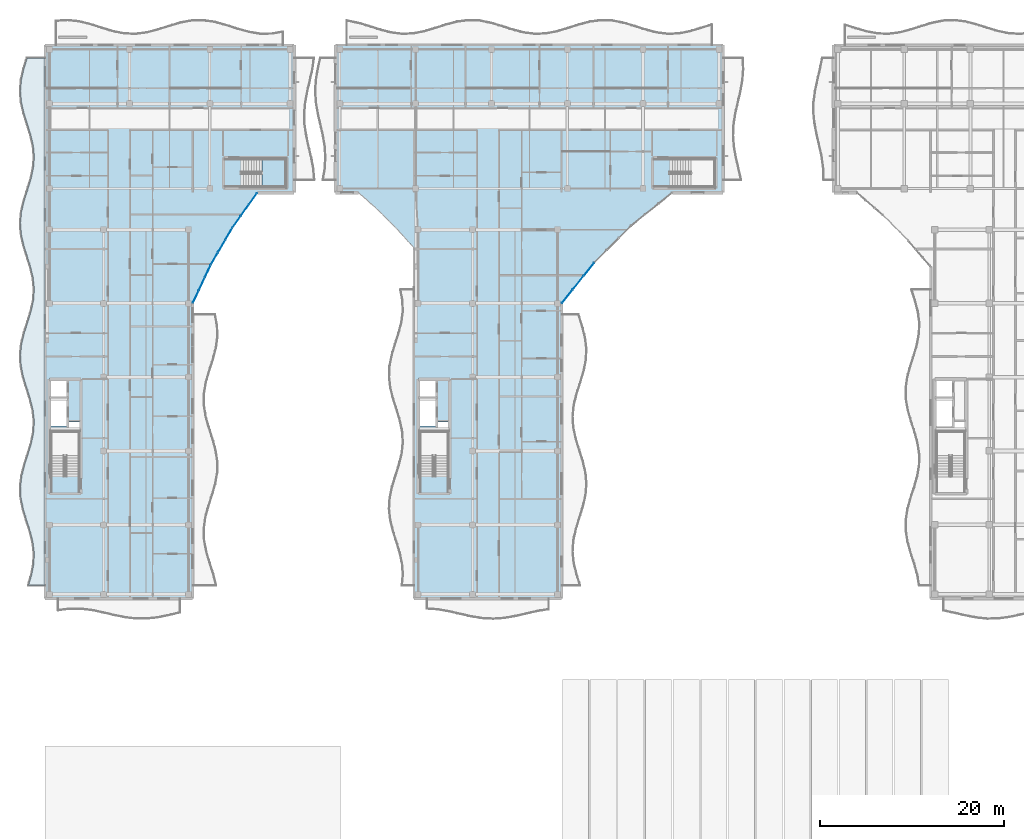
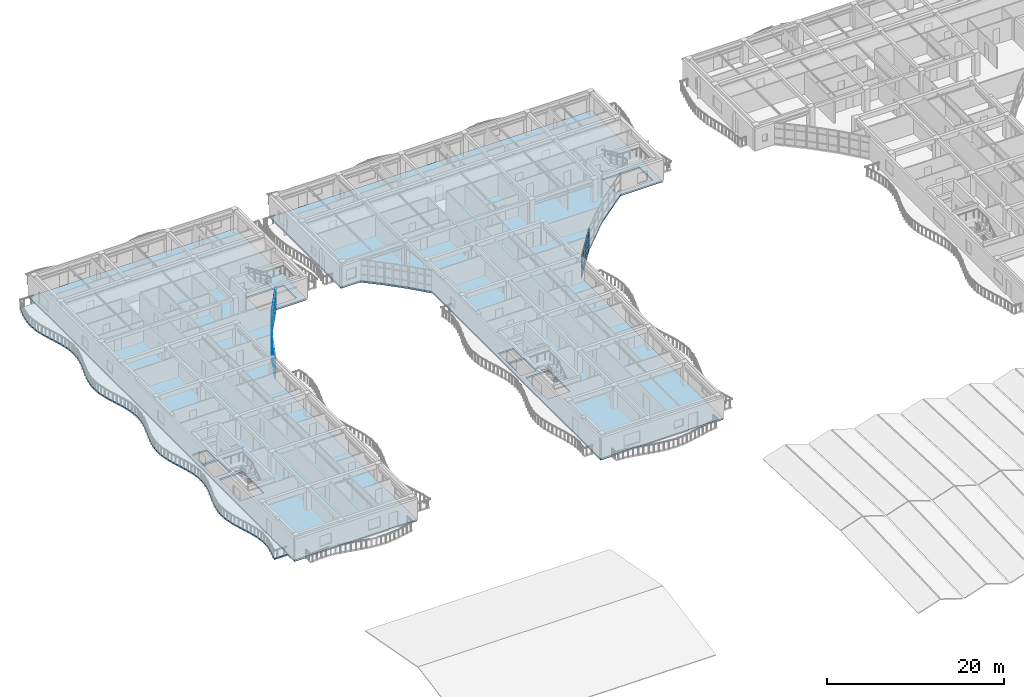
# One storey, part 38 of 89: 36 plates, 4 slabs, 5 elements without a shape of their own.
"""IFC4 building model written with IfcOpenShell, lengths in metres."""

from ifc_helpers import new_model, si_unit, direction, frame, origin, origin_2d, place, context, subcontext, project, spatial, polyline, rectangle, outline, extrude, material, layer, layer_set, type_object, element, aggregate, save


model = new_model("IFC4")

# Units and contexts
model_context = context("Model", 3, precision=1e-05, world=origin(), true_north=direction((0.0, 1.0)))
body_context = subcontext(model_context, "Body", "Model", "MODEL_VIEW")
ifc_project = project(units=[si_unit("LENGTHUNIT", "METRE"), si_unit("AREAUNIT", "SQUARE_METRE"), si_unit("VOLUMEUNIT", "CUBIC_METRE"), si_unit("PLANEANGLEUNIT", "RADIAN"), si_unit("MASSUNIT", "GRAM", prefix="KILO")], contexts=[model_context])

# Site, building, storey
site_placement = place(None, origin())
site = spatial("IfcSite", under=ifc_project, at=site_placement, CompositionType="ELEMENT")
building_placement = place(site_placement, origin())
building = spatial("IfcBuilding", under=site, at=building_placement, Name="Keldmere Railside Commons", CompositionType="ELEMENT")
storey_placement = place(building_placement, frame((0.0, 0.0, 7.360107421875)))
storey = spatial("IfcBuildingStorey", under=building, at=storey_placement, Name="L02", CompositionType="ELEMENT", Elevation=7.360107421875)

# Curtain wall, plates
ifc_material_1 = material(Name="Thermally Broken Aluminium", Category="aluminium")
ifc_layer_1 = layer(ifc_material_1, 0.159912109375, Name="Court Chord Wintergarden CW 4800x2850")
ifc_layer_set_1 = layer_set([ifc_layer_1], Name="Thermally Broken Aluminium")
curtain_wall_type_1 = type_object("IfcCurtainWallType", Name="Court Chord Wintergarden CW 4800x2850", PredefinedType="NOTDEFINED", material=ifc_layer_set_1)
curtain_wall_1_placement = place(storey_placement, origin())
curtain_wall_1 = element("IfcCurtainWall", 1, at=curtain_wall_1_placement, inside=storey, type_object=curtain_wall_type_1, Name="CW-12 CW-L02-007", PredefinedType="NOTDEFINED")
ifc_material_2 = material(Name="Low-E Insulated Double Glazing", Category="glass")
ifc_layer_2 = layer(ifc_material_2, 0.033935546875, Name="Acoustic Laminated Vision Panel 34")
ifc_layer_set_2 = layer_set([ifc_layer_2], Name="Low-E Insulated Double Glazing")
plate_type_1 = type_object("IfcPlateType", Name="Acoustic Laminated Vision Panel 34", PredefinedType="CURTAIN_PANEL", material=ifc_layer_set_2)
plate_1_placement = place(storey_placement, frame((25.636474609375, 91.48779296875, 0.06494140625), z_axis=(0.0, 0.0, 1.0), x_axis=(-0.424759442264, -0.905306255478, 0.0)))
plate_1 = element("IfcPlate", 2, at=plate_1_placement, type_object=plate_type_1, Name="CW-12 panel 1.1", PredefinedType="CURTAIN_PANEL", context=body_context, shape_type="SweptSolid", body=[
    extrude(rectangle(XDim=1.449951171875, YDim=0.033935546875, at=origin_2d()), origin(), (0.0, 0.0, 1.0), 0.802490234375),
])
plate_2_placement = place(storey_placement, frame((25.636474609375, 91.48779296875, 0.932373046875), z_axis=(0.0, 0.0, 1.0), x_axis=(-0.424759442264, -0.905306255478, 0.0)))
plate_2 = element("IfcPlate", 3, at=plate_2_placement, type_object=plate_type_1, Name="CW-12 panel 1.2", PredefinedType="CURTAIN_PANEL", context=body_context, shape_type="SweptSolid", body=[
    extrude(rectangle(XDim=1.449951171875, YDim=0.033935546875, at=origin_2d()), origin(), (0.0, 0.0, 1.0), 1.18505859375),
])
plate_3_placement = place(storey_placement, frame((25.636474609375, 91.48779296875, 2.182373046875), z_axis=(0.0, 0.0, 1.0), x_axis=(-0.424759442264, -0.905306255478, 0.0)))
plate_3 = element("IfcPlate", 4, at=plate_3_placement, type_object=plate_type_1, Name="CW-12 panel 1.3", PredefinedType="CURTAIN_PANEL", context=body_context, shape_type="SweptSolid", body=[
    extrude(rectangle(XDim=1.449951171875, YDim=0.033935546875, at=origin_2d()), origin(), (0.0, 0.0, 1.0), 0.732421875),
])
plate_4_placement = place(storey_placement, frame((24.986083984375, 90.1015625, 0.06494140625), z_axis=(0.0, 0.0, 1.0), x_axis=(-0.424759442264, -0.905306255478, 0.0)))
plate_4 = element("IfcPlate", 5, at=plate_4_placement, type_object=plate_type_1, Name="CW-12 panel 2.1", PredefinedType="CURTAIN_PANEL", context=body_context, shape_type="SweptSolid", body=[
    extrude(rectangle(XDim=1.482421875, YDim=0.033935546875, at=origin_2d()), origin(), (0.0, 0.0, 1.0), 0.802490234375),
])
plate_5_placement = place(storey_placement, frame((24.986083984375, 90.1015625, 0.932373046875), z_axis=(0.0, 0.0, 1.0), x_axis=(-0.424759442264, -0.905306255478, 0.0)))
plate_5 = element("IfcPlate", 6, at=plate_5_placement, type_object=plate_type_1, Name="CW-12 panel 2.2", PredefinedType="CURTAIN_PANEL", context=body_context, shape_type="SweptSolid", body=[
    extrude(rectangle(XDim=1.482421875, YDim=0.033935546875, at=origin_2d()), origin(), (0.0, 0.0, 1.0), 1.18505859375),
])
plate_6_placement = place(storey_placement, frame((24.986083984375, 90.1015625, 2.182373046875), z_axis=(0.0, 0.0, 1.0), x_axis=(-0.424759442264, -0.905306255478, 0.0)))
plate_6 = element("IfcPlate", 7, at=plate_6_placement, type_object=plate_type_1, Name="CW-12 panel 2.3", PredefinedType="CURTAIN_PANEL", context=body_context, shape_type="SweptSolid", body=[
    extrude(rectangle(XDim=1.482421875, YDim=0.033935546875, at=origin_2d()), origin(), (0.0, 0.0, 1.0), 0.732421875),
])
plate_7_placement = place(storey_placement, frame((24.33544921875, 88.71533203125, 0.06494140625), z_axis=(0.0, 0.0, 1.0), x_axis=(-0.424759442264, -0.905306255478, 0.0)))
plate_7 = element("IfcPlate", 8, at=plate_7_placement, type_object=plate_type_1, Name="CW-12 panel 3.1", PredefinedType="CURTAIN_PANEL", context=body_context, shape_type="SweptSolid", body=[
    extrude(rectangle(XDim=1.449951171875, YDim=0.033935546875, at=origin_2d()), origin(), (0.0, 0.0, 1.0), 0.802490234375),
])
plate_8_placement = place(storey_placement, frame((24.33544921875, 88.71533203125, 0.932373046875), z_axis=(0.0, 0.0, 1.0), x_axis=(-0.424759442264, -0.905306255478, 0.0)))
plate_8 = element("IfcPlate", 9, at=plate_8_placement, type_object=plate_type_1, Name="CW-12 panel 3.2", PredefinedType="CURTAIN_PANEL", context=body_context, shape_type="SweptSolid", body=[
    extrude(rectangle(XDim=1.449951171875, YDim=0.033935546875, at=origin_2d()), origin(), (0.0, 0.0, 1.0), 1.18505859375),
])
plate_9_placement = place(storey_placement, frame((24.33544921875, 88.71533203125, 2.182373046875), z_axis=(0.0, 0.0, 1.0), x_axis=(-0.424759442264, -0.905306255478, 0.0)))
plate_9 = element("IfcPlate", 10, at=plate_9_placement, type_object=plate_type_1, Name="CW-12 panel 3.3", PredefinedType="CURTAIN_PANEL", context=body_context, shape_type="SweptSolid", body=[
    extrude(rectangle(XDim=1.449951171875, YDim=0.033935546875, at=origin_2d()), origin(), (0.0, 0.0, 1.0), 0.732421875),
])
aggregate(curtain_wall_1, [plate_1, plate_2, plate_3, plate_4, plate_5, plate_6, plate_7, plate_8, plate_9])

curtain_wall_2_placement = place(storey_placement, origin())
curtain_wall_2 = element("IfcCurtainWall", 11, at=curtain_wall_2_placement, inside=storey, type_object=curtain_wall_type_1, Name="CW-12 CW-L02-037", PredefinedType="NOTDEFINED")
plate_10_placement = place(storey_placement, frame((66.951416015625, 91.678955078125, 0.06494140625), z_axis=(0.0, 0.0, 1.0), x_axis=(-0.625768080915, -0.780009172323, 0.0)))
plate_10 = element("IfcPlate", 12, at=plate_10_placement, type_object=plate_type_1, Name="CW-12 panel 1.1", PredefinedType="CURTAIN_PANEL", context=body_context, shape_type="SweptSolid", body=[
    extrude(rectangle(XDim=1.795654296875, YDim=0.033935546875, at=origin_2d()), origin(), (0.0, 0.0, 1.0), 0.802490234375),
])
plate_11_placement = place(storey_placement, frame((66.951416015625, 91.678955078125, 0.932373046875), z_axis=(0.0, 0.0, 1.0), x_axis=(-0.625768080915, -0.780009172323, 0.0)))
plate_11 = element("IfcPlate", 13, at=plate_11_placement, type_object=plate_type_1, Name="CW-12 panel 1.2", PredefinedType="CURTAIN_PANEL", context=body_context, shape_type="SweptSolid", body=[
    extrude(rectangle(XDim=1.795654296875, YDim=0.033935546875, at=origin_2d()), origin(), (0.0, 0.0, 1.0), 1.18505859375),
])
plate_12_placement = place(storey_placement, frame((66.951416015625, 91.678955078125, 2.182373046875), z_axis=(0.0, 0.0, 1.0), x_axis=(-0.625768080915, -0.780009172323, 0.0)))
plate_12 = element("IfcPlate", 14, at=plate_12_placement, type_object=plate_type_1, Name="CW-12 panel 1.3", PredefinedType="CURTAIN_PANEL", context=body_context, shape_type="SweptSolid", body=[
    extrude(rectangle(XDim=1.795654296875, YDim=0.033935546875, at=origin_2d()), origin(), (0.0, 0.0, 1.0), 0.732421875),
])
plate_13_placement = place(storey_placement, frame((65.777099609375, 90.215087890625, 0.06494140625), z_axis=(0.0, 0.0, 1.0), x_axis=(-0.625768080915, -0.780009172323, 0.0)))
plate_13 = element("IfcPlate", 15, at=plate_13_placement, type_object=plate_type_1, Name="CW-12 panel 2.1", PredefinedType="CURTAIN_PANEL", context=body_context, shape_type="SweptSolid", body=[
    extrude(rectangle(XDim=1.828125, YDim=0.033935546875, at=origin_2d()), origin(), (0.0, 0.0, 1.0), 0.802490234375),
])
plate_14_placement = place(storey_placement, frame((65.777099609375, 90.215087890625, 0.932373046875), z_axis=(0.0, 0.0, 1.0), x_axis=(-0.625768080915, -0.780009172323, 0.0)))
plate_14 = element("IfcPlate", 16, at=plate_14_placement, type_object=plate_type_1, Name="CW-12 panel 2.2", PredefinedType="CURTAIN_PANEL", context=body_context, shape_type="SweptSolid", body=[
    extrude(rectangle(XDim=1.828125, YDim=0.033935546875, at=origin_2d()), origin(), (0.0, 0.0, 1.0), 1.18505859375),
])
plate_15_placement = place(storey_placement, frame((65.777099609375, 90.215087890625, 2.182373046875), z_axis=(0.0, 0.0, 1.0), x_axis=(-0.625768080915, -0.780009172323, 0.0)))
plate_15 = element("IfcPlate", 17, at=plate_15_placement, type_object=plate_type_1, Name="CW-12 panel 2.3", PredefinedType="CURTAIN_PANEL", context=body_context, shape_type="SweptSolid", body=[
    extrude(rectangle(XDim=1.828125, YDim=0.033935546875, at=origin_2d()), origin(), (0.0, 0.0, 1.0), 0.732421875),
])
plate_16_placement = place(storey_placement, frame((64.6025390625, 88.7509765625, 0.06494140625), z_axis=(0.0, 0.0, 1.0), x_axis=(-0.625768080915, -0.780009172323, 0.0)))
plate_16 = element("IfcPlate", 18, at=plate_16_placement, type_object=plate_type_1, Name="CW-12 panel 3.1", PredefinedType="CURTAIN_PANEL", context=body_context, shape_type="SweptSolid", body=[
    extrude(rectangle(XDim=1.795654296875, YDim=0.033935546875, at=origin_2d()), origin(), (0.0, 0.0, 1.0), 0.802490234375),
])
plate_17_placement = place(storey_placement, frame((64.6025390625, 88.7509765625, 0.932373046875), z_axis=(0.0, 0.0, 1.0), x_axis=(-0.625768080915, -0.780009172323, 0.0)))
plate_17 = element("IfcPlate", 19, at=plate_17_placement, type_object=plate_type_1, Name="CW-12 panel 3.2", PredefinedType="CURTAIN_PANEL", context=body_context, shape_type="SweptSolid", body=[
    extrude(rectangle(XDim=1.795654296875, YDim=0.033935546875, at=origin_2d()), origin(), (0.0, 0.0, 1.0), 1.18505859375),
])
plate_18_placement = place(storey_placement, frame((64.6025390625, 88.7509765625, 2.182373046875), z_axis=(0.0, 0.0, 1.0), x_axis=(-0.625768080915, -0.780009172323, 0.0)))
plate_18 = element("IfcPlate", 20, at=plate_18_placement, type_object=plate_type_1, Name="CW-12 panel 3.3", PredefinedType="CURTAIN_PANEL", context=body_context, shape_type="SweptSolid", body=[
    extrude(rectangle(XDim=1.795654296875, YDim=0.033935546875, at=origin_2d()), origin(), (0.0, 0.0, 1.0), 0.732421875),
])
aggregate(curtain_wall_2, [plate_10, plate_11, plate_12, plate_13, plate_14, plate_15, plate_16, plate_17, plate_18])

ifc_layer_3 = layer(ifc_material_1, 0.159912109375, Name="Court Chord Wintergarden CW 5400x2850")
ifc_layer_set_3 = layer_set([ifc_layer_3], Name="Thermally Broken Aluminium")
curtain_wall_type_2 = type_object("IfcCurtainWallType", Name="Court Chord Wintergarden CW 5400x2850", PredefinedType="NOTDEFINED", material=ifc_layer_set_3)
curtain_wall_3_placement = place(storey_placement, origin())
curtain_wall_3 = element("IfcCurtainWall", 21, at=curtain_wall_3_placement, inside=storey, type_object=curtain_wall_type_2, Name="CW-13 CW-L02-008", PredefinedType="NOTDEFINED")
ifc_layer_4 = layer(ifc_material_2, 0.031982421875, Name="Clerestory Solar-Control Vision Panel 32")
ifc_layer_set_4 = layer_set([ifc_layer_4], Name="Low-E Insulated Double Glazing")
plate_type_2 = type_object("IfcPlateType", Name="Clerestory Solar-Control Vision Panel 32", PredefinedType="CURTAIN_PANEL", material=ifc_layer_set_4)
plate_19_placement = place(storey_placement, frame((27.913818359375, 95.531494140625, 0.06494140625), z_axis=(0.0, 0.0, 1.0), x_axis=(-0.503911193272, -0.86375546846, 0.0)))
plate_19 = element("IfcPlate", 22, at=plate_19_placement, type_object=plate_type_2, Name="CW-13 panel 1.1", PredefinedType="CURTAIN_PANEL", context=body_context, shape_type="SweptSolid", body=[
    extrude(rectangle(XDim=1.450439453125, YDim=0.031982421875, at=origin_2d()), origin(), (0.0, 0.0, 1.0), 0.802490234375),
])
plate_20_placement = place(storey_placement, frame((27.913818359375, 95.531494140625, 0.932373046875), z_axis=(0.0, 0.0, 1.0), x_axis=(-0.503911193272, -0.86375546846, 0.0)))
plate_20 = element("IfcPlate", 23, at=plate_20_placement, type_object=plate_type_2, Name="CW-13 panel 1.2", PredefinedType="CURTAIN_PANEL", context=body_context, shape_type="SweptSolid", body=[
    extrude(rectangle(XDim=1.450439453125, YDim=0.031982421875, at=origin_2d()), origin(), (0.0, 0.0, 1.0), 1.18505859375),
])
plate_21_placement = place(storey_placement, frame((27.913818359375, 95.531494140625, 2.182373046875), z_axis=(0.0, 0.0, 1.0), x_axis=(-0.503911193272, -0.86375546846, 0.0)))
plate_21 = element("IfcPlate", 24, at=plate_21_placement, type_object=plate_type_2, Name="CW-13 panel 1.3", PredefinedType="CURTAIN_PANEL", context=body_context, shape_type="SweptSolid", body=[
    extrude(rectangle(XDim=1.450439453125, YDim=0.031982421875, at=origin_2d()), origin(), (0.0, 0.0, 1.0), 0.732421875),
])
plate_22_placement = place(storey_placement, frame((27.14208984375, 94.20849609375, 0.06494140625), z_axis=(0.0, 0.0, 1.0), x_axis=(-0.503911193272, -0.86375546846, 0.0)))
plate_22 = element("IfcPlate", 25, at=plate_22_placement, type_object=plate_type_2, Name="CW-13 panel 2.1", PredefinedType="CURTAIN_PANEL", context=body_context, shape_type="SweptSolid", body=[
    extrude(rectangle(XDim=1.48291015625, YDim=0.031982421875, at=origin_2d()), origin(), (0.0, 0.0, 1.0), 0.802490234375),
])
plate_23_placement = place(storey_placement, frame((27.14208984375, 94.20849609375, 0.932373046875), z_axis=(0.0, 0.0, 1.0), x_axis=(-0.503911193272, -0.86375546846, 0.0)))
plate_23 = element("IfcPlate", 26, at=plate_23_placement, type_object=plate_type_2, Name="CW-13 panel 2.2", PredefinedType="CURTAIN_PANEL", context=body_context, shape_type="SweptSolid", body=[
    extrude(rectangle(XDim=1.48291015625, YDim=0.031982421875, at=origin_2d()), origin(), (0.0, 0.0, 1.0), 1.18505859375),
])
plate_24_placement = place(storey_placement, frame((27.14208984375, 94.20849609375, 2.182373046875), z_axis=(0.0, 0.0, 1.0), x_axis=(-0.503911193272, -0.86375546846, 0.0)))
plate_24 = element("IfcPlate", 27, at=plate_24_placement, type_object=plate_type_2, Name="CW-13 panel 2.3", PredefinedType="CURTAIN_PANEL", context=body_context, shape_type="SweptSolid", body=[
    extrude(rectangle(XDim=1.48291015625, YDim=0.031982421875, at=origin_2d()), origin(), (0.0, 0.0, 1.0), 0.732421875),
])
plate_25_placement = place(storey_placement, frame((26.3701171875, 92.885498046875, 0.06494140625), z_axis=(0.0, 0.0, 1.0), x_axis=(-0.503911193272, -0.86375546846, 0.0)))
plate_25 = element("IfcPlate", 28, at=plate_25_placement, type_object=plate_type_2, Name="CW-13 panel 3.1", PredefinedType="CURTAIN_PANEL", context=body_context, shape_type="SweptSolid", body=[
    extrude(rectangle(XDim=1.450439453125, YDim=0.031982421875, at=origin_2d()), origin(), (0.0, 0.0, 1.0), 0.802490234375),
])
plate_26_placement = place(storey_placement, frame((26.3701171875, 92.885498046875, 0.932373046875), z_axis=(0.0, 0.0, 1.0), x_axis=(-0.503911193272, -0.86375546846, 0.0)))
plate_26 = element("IfcPlate", 29, at=plate_26_placement, type_object=plate_type_2, Name="CW-13 panel 3.2", PredefinedType="CURTAIN_PANEL", context=body_context, shape_type="SweptSolid", body=[
    extrude(rectangle(XDim=1.450439453125, YDim=0.031982421875, at=origin_2d()), origin(), (0.0, 0.0, 1.0), 1.18505859375),
])
plate_27_placement = place(storey_placement, frame((26.3701171875, 92.885498046875, 2.182373046875), z_axis=(0.0, 0.0, 1.0), x_axis=(-0.503911193272, -0.86375546846, 0.0)))
plate_27 = element("IfcPlate", 30, at=plate_27_placement, type_object=plate_type_2, Name="CW-13 panel 3.3", PredefinedType="CURTAIN_PANEL", context=body_context, shape_type="SweptSolid", body=[
    extrude(rectangle(XDim=1.450439453125, YDim=0.031982421875, at=origin_2d()), origin(), (0.0, 0.0, 1.0), 0.732421875),
])
aggregate(curtain_wall_3, [plate_19, plate_20, plate_21, plate_22, plate_23, plate_24, plate_25, plate_26, plate_27])

# Stair, slab
ifc_material_3 = material(Name="Concrete H-30 (C30/37)", Category="concrete")
stair_type = type_object("IfcStairType", Name="Residential Core Dogleg Stair 1450", PredefinedType="HALF_TURN_STAIR", material=ifc_material_3)
stair_placement = place(storey_placement, origin())
stair = element("IfcStair", 31, at=stair_placement, inside=storey, type_object=stair_type, Name="L02 Block D Secondary Escape Stair 2", PredefinedType="HALF_TURN_STAIR")
ifc_layer_5 = layer(ifc_material_3, 0.199951171875, Name="Enclosed Stair Landing Slab 200")
ifc_layer_set_5 = layer_set([ifc_layer_5], Name="Concrete H-30 (C30/37)")
slab_type_1 = type_object("IfcSlabType", Name="Enclosed Stair Landing Slab 200", PredefinedType="LANDING", material=ifc_layer_set_5)
slab_1_placement = place(storey_placement, frame((0.0, 0.0, 1.39990234375)))
slab_1 = element("IfcSlab", 32, at=slab_1_placement, type_object=slab_type_1, Name="ST-D2 landing 1", PredefinedType="LANDING", context=body_context, shape_type="SweptSolid", body=[
    extrude(outline(polyline([(31.52001953125, 100.60009765625), (34.10009765625, 100.60009765625), (34.10009765625, 103.64990234375), (31.52001953125, 103.64990234375), (31.52001953125, 100.60009765625)])), origin(), (0.0, 0.0, 1.0), 0.199951171875),
])
aggregate(stair, [slab_1])

# Curtain wall, plates
curtain_wall_4_placement = place(storey_placement, origin())
curtain_wall_4 = element("IfcCurtainWall", 33, at=curtain_wall_4_placement, inside=storey, type_object=curtain_wall_type_1, Name="CW-12 CW-L02-009", PredefinedType="NOTDEFINED")
ifc_layer_6 = layer(ifc_material_2, 0.028076171875, Name="Low-E Vision Glazing Panel 28")
ifc_layer_set_6 = layer_set([ifc_layer_6], Name="Low-E Insulated Double Glazing")
plate_type_3 = type_object("IfcPlateType", Name="Low-E Vision Glazing Panel 28", PredefinedType="CURTAIN_PANEL", material=ifc_layer_set_6)
plate_28_placement = place(storey_placement, frame((30.54248046875, 99.355712890625, 0.06494140625), z_axis=(0.0, 0.0, 1.0), x_axis=(-0.578913327753, -0.815389084395, 0.0)))
plate_28 = element("IfcPlate", 34, at=plate_28_placement, type_object=plate_type_3, Name="CW-12 panel 1.1", PredefinedType="CURTAIN_PANEL", context=body_context, shape_type="SweptSolid", body=[
    extrude(rectangle(XDim=1.4501953125, YDim=0.028076171875, at=origin_2d()), origin(), (0.0, 0.0, 1.0), 0.802490234375),
])
plate_29_placement = place(storey_placement, frame((30.54248046875, 99.355712890625, 0.932373046875), z_axis=(0.0, 0.0, 1.0), x_axis=(-0.578913327753, -0.815389084395, 0.0)))
plate_29 = element("IfcPlate", 35, at=plate_29_placement, type_object=plate_type_3, Name="CW-12 panel 1.2", PredefinedType="CURTAIN_PANEL", context=body_context, shape_type="SweptSolid", body=[
    extrude(rectangle(XDim=1.4501953125, YDim=0.028076171875, at=origin_2d()), origin(), (0.0, 0.0, 1.0), 1.18505859375),
])
plate_30_placement = place(storey_placement, frame((30.54248046875, 99.355712890625, 2.182373046875), z_axis=(0.0, 0.0, 1.0), x_axis=(-0.578913327753, -0.815389084395, 0.0)))
plate_30 = element("IfcPlate", 36, at=plate_30_placement, type_object=plate_type_3, Name="CW-12 panel 1.3", PredefinedType="CURTAIN_PANEL", context=body_context, shape_type="SweptSolid", body=[
    extrude(rectangle(XDim=1.4501953125, YDim=0.028076171875, at=origin_2d()), origin(), (0.0, 0.0, 1.0), 0.732421875),
])
plate_31_placement = place(storey_placement, frame((29.656005859375, 98.10693359375, 0.06494140625), z_axis=(0.0, 0.0, 1.0), x_axis=(-0.578913327753, -0.815389084395, 0.0)))
plate_31 = element("IfcPlate", 37, at=plate_31_placement, type_object=plate_type_3, Name="CW-12 panel 2.1", PredefinedType="CURTAIN_PANEL", context=body_context, shape_type="SweptSolid", body=[
    extrude(rectangle(XDim=1.482666015625, YDim=0.028076171875, at=origin_2d()), origin(), (0.0, 0.0, 1.0), 0.802490234375),
])
plate_32_placement = place(storey_placement, frame((29.656005859375, 98.10693359375, 0.932373046875), z_axis=(0.0, 0.0, 1.0), x_axis=(-0.578913327753, -0.815389084395, 0.0)))
plate_32 = element("IfcPlate", 38, at=plate_32_placement, type_object=plate_type_3, Name="CW-12 panel 2.2", PredefinedType="CURTAIN_PANEL", context=body_context, shape_type="SweptSolid", body=[
    extrude(rectangle(XDim=1.482666015625, YDim=0.028076171875, at=origin_2d()), origin(), (0.0, 0.0, 1.0), 1.18505859375),
])
plate_33_placement = place(storey_placement, frame((29.656005859375, 98.10693359375, 2.182373046875), z_axis=(0.0, 0.0, 1.0), x_axis=(-0.578913327753, -0.815389084395, 0.0)))
plate_33 = element("IfcPlate", 39, at=plate_33_placement, type_object=plate_type_3, Name="CW-12 panel 2.3", PredefinedType="CURTAIN_PANEL", context=body_context, shape_type="SweptSolid", body=[
    extrude(rectangle(XDim=1.482666015625, YDim=0.028076171875, at=origin_2d()), origin(), (0.0, 0.0, 1.0), 0.732421875),
])
plate_34_placement = place(storey_placement, frame((28.769287109375, 96.858154296875, 0.06494140625), z_axis=(0.0, 0.0, 1.0), x_axis=(-0.578913327753, -0.815389084395, 0.0)))
plate_34 = element("IfcPlate", 40, at=plate_34_placement, type_object=plate_type_3, Name="CW-12 panel 3.1", PredefinedType="CURTAIN_PANEL", context=body_context, shape_type="SweptSolid", body=[
    extrude(rectangle(XDim=1.4501953125, YDim=0.028076171875, at=origin_2d()), origin(), (0.0, 0.0, 1.0), 0.802490234375),
])
plate_35_placement = place(storey_placement, frame((28.769287109375, 96.858154296875, 0.932373046875), z_axis=(0.0, 0.0, 1.0), x_axis=(-0.578913327753, -0.815389084395, 0.0)))
plate_35 = element("IfcPlate", 41, at=plate_35_placement, type_object=plate_type_3, Name="CW-12 panel 3.2", PredefinedType="CURTAIN_PANEL", context=body_context, shape_type="SweptSolid", body=[
    extrude(rectangle(XDim=1.4501953125, YDim=0.028076171875, at=origin_2d()), origin(), (0.0, 0.0, 1.0), 1.18505859375),
])
plate_36_placement = place(storey_placement, frame((28.769287109375, 96.858154296875, 2.182373046875), z_axis=(0.0, 0.0, 1.0), x_axis=(-0.578913327753, -0.815389084395, 0.0)))
plate_36 = element("IfcPlate", 42, at=plate_36_placement, type_object=plate_type_3, Name="CW-12 panel 3.3", PredefinedType="CURTAIN_PANEL", context=body_context, shape_type="SweptSolid", body=[
    extrude(rectangle(XDim=1.4501953125, YDim=0.028076171875, at=origin_2d()), origin(), (0.0, 0.0, 1.0), 0.732421875),
])
aggregate(curtain_wall_4, [plate_28, plate_29, plate_30, plate_31, plate_32, plate_33, plate_34, plate_35, plate_36])

# Slabs
ifc_layer_7 = layer(ifc_material_3, 0.219970703125, Name="Residential Flat Slab 220")
ifc_layer_set_7 = layer_set([ifc_layer_7], Name="Concrete H-30 (C30/37)")
slab_type_2 = type_object("IfcSlabType", Name="Residential Flat Slab 220", PredefinedType="FLOOR", material=ifc_layer_set_7)
slab_2_placement = place(storey_placement, frame((0.0, 0.0, -0.22021484375)))
element("IfcSlab", 43, at=slab_2_placement, inside=storey, type_object=slab_type_2, Name="FS-2 BLKD-L02-009", PredefinedType="FLOOR", context=body_context, shape_type="SweptSolid", body=[
    extrude(outline(polyline([(8.0, 56.0), (24.0, 56.0), (24.0, 88.0), (25.971923828125, 92.202880859375), (28.31201171875, 96.214111328125), (31.0, 100.0), (35.0, 100.0), (35.0, 116.0), (8.0, 116.0), (8.0, 56.0)]), holes=[polyline([(11.675048828125, 69.22509765625), (8.675048828125, 69.22509765625), (8.675048828125, 74.074951171875), (11.675048828125, 74.074951171875), (11.675048828125, 69.22509765625)]), polyline([(11.699951171875, 74.419921875), (10.60009765625, 74.419921875), (10.60009765625, 75.159912109375), (11.699951171875, 75.159912109375), (11.699951171875, 74.419921875)]), polyline([(8.39990234375, 74.699951171875), (8.39990234375, 77.5), (10.39990234375, 77.5), (10.39990234375, 74.699951171875), (8.39990234375, 74.699951171875)]), polyline([(8.39990234375, 77.75), (8.39990234375, 79.800048828125), (10.300048828125, 79.800048828125), (10.300048828125, 77.75), (8.39990234375, 77.75)]), polyline([(29.22509765625, 103.625), (34.074951171875, 103.625), (34.074951171875, 100.625), (29.22509765625, 100.625), (29.22509765625, 103.625)])]), origin(), (0.0, 0.0, 1.0), 0.22021484375),
])
slab_3_placement = place(storey_placement, frame((0.0, 0.0, -0.22021484375)))
element("IfcSlab", 44, at=slab_3_placement, inside=storey, type_object=slab_type_2, Name="FS-2 BLKC-L02-022", PredefinedType="FLOOR", context=body_context, shape_type="SweptSolid", body=[
    extrude(outline(polyline([(48.0, 56.0), (64.0, 56.0), (64.0, 88.0), (67.553955078125, 92.429931640625), (71.570068359375, 96.446044921875), (76.0, 100.0), (81.5, 100.0), (81.5, 116.0), (39.5, 116.0), (39.5, 100.0), (42.0, 100.0), (44.10791015625, 98.110107421875), (46.110107421875, 96.10791015625), (48.0, 94.0), (48.0, 56.0)]), holes=[polyline([(51.675048828125, 69.22509765625), (48.675048828125, 69.22509765625), (48.675048828125, 74.074951171875), (51.675048828125, 74.074951171875), (51.675048828125, 69.22509765625)]), polyline([(50.60009765625, 74.419921875), (50.60009765625, 75.159912109375), (51.699951171875, 75.159912109375), (51.699951171875, 74.419921875), (50.60009765625, 74.419921875)]), polyline([(50.39990234375, 74.699951171875), (48.39990234375, 74.699951171875), (48.39990234375, 77.5), (50.39990234375, 77.5), (50.39990234375, 74.699951171875)]), polyline([(50.300048828125, 77.75), (48.39990234375, 77.75), (48.39990234375, 79.800048828125), (50.300048828125, 79.800048828125), (50.300048828125, 77.75)]), polyline([(75.72509765625, 100.625), (75.72509765625, 103.625), (80.574951171875, 103.625), (80.574951171875, 100.625), (75.72509765625, 100.625)])]), origin(), (0.0, 0.0, 1.0), 0.22021484375),
])
ifc_material_4 = material(Name="White Precast Concrete H-35 (C35/45)", Category="concrete")
ifc_layer_8 = layer(ifc_material_4, 0.179931640625, Name="Sinusoidal Wave Balcony Slab 180")
ifc_layer_set_8 = layer_set([ifc_layer_8], Name="White Precast Concrete H-35 (C35/45)")
slab_type_3 = type_object("IfcSlabType", Name="Sinusoidal Wave Balcony Slab 180", PredefinedType="FLOOR", material=ifc_layer_set_8)
slab_4_placement = place(storey_placement, frame((0.0, 0.0, -0.18017578125)))
element("IfcSlab", 45, at=slab_4_placement, inside=storey, type_object=slab_type_3, Name="WB-1 D L02 CW Wave Balcony", PredefinedType="FLOOR", context=body_context, shape_type="SweptSolid", body=[
    extrude(outline(polyline([(8.0, 57.39990234375), (8.0, 58.591796875), (8.0, 59.783203125), (8.0, 60.97509765625), (8.0, 62.166748046875), (8.0, 63.3583984375), (8.0, 64.550048828125), (8.0, 65.74169921875), (8.0, 66.933349609375), (8.0, 68.125), (8.0, 69.316650390625), (8.0, 70.50830078125), (8.0, 71.699951171875), (8.0, 72.8916015625), (8.0, 74.083251953125), (8.0, 75.27490234375), (8.0, 76.466796875), (8.0, 77.658203125), (8.0, 78.85009765625), (8.0, 80.041748046875), (8.0, 81.2333984375), (8.0, 82.425048828125), (8.0, 83.61669921875), (8.0, 84.808349609375), (8.0, 86.0), (8.0, 87.191650390625), (8.0, 88.38330078125), (8.0, 89.574951171875), (8.0, 90.7666015625), (8.0, 91.958251953125), (8.0, 93.14990234375), (8.0, 94.341796875), (8.0, 95.533203125), (8.0, 96.72509765625), (8.0, 97.916748046875), (8.0, 99.1083984375), (8.0, 100.300048828125), (8.0, 101.49169921875), (8.0, 102.683349609375), (8.0, 103.875), (8.0, 105.066650390625), (8.0, 106.25830078125), (8.0, 107.449951171875), (8.0, 108.6416015625), (8.0, 109.833251953125), (8.0, 111.02490234375), (8.0, 112.216796875), (8.0, 113.408203125), (8.0, 114.60009765625), (6.037841796875, 114.60009765625), (5.6669921875, 113.408203125), (5.397216796875, 112.216796875), (5.300048828125, 111.02490234375), (5.401123046875, 109.833251953125), (5.673583984375, 108.6416015625), (6.045654296875, 107.449951171875), (6.4189453125, 106.25830078125), (6.694580078125, 105.066650390625), (6.7998046875, 103.875), (6.70703125, 102.683349609375), (6.4404296875, 101.49169921875), (6.070556640625, 100.300048828125), (5.6953125, 99.1083984375), (5.413818359375, 97.916748046875), (5.300537109375, 96.72509765625), (5.38525390625, 95.533203125), (5.645751953125, 94.341796875), (6.012939453125, 93.14990234375), (6.39013671875, 91.958251953125), (6.67724609375, 90.7666015625), (6.798583984375, 89.574951171875), (6.72216796875, 88.38330078125), (6.468017578125, 87.191650390625), (6.103271484375, 86.0), (5.724609375, 84.808349609375), (5.431884765625, 83.61669921875), (5.302490234375, 82.425048828125), (5.370849609375, 81.2333984375), (5.618408203125, 80.041748046875), (5.98046875, 78.85009765625), (6.360595703125, 77.658203125), (6.65869140625, 76.466796875), (6.7958984375, 75.27490234375), (6.736083984375, 74.083251953125), (6.49462890625, 72.8916015625), (6.135986328125, 71.699951171875), (5.75439453125, 70.50830078125), (5.450927734375, 69.316650390625), (5.305908203125, 68.125), (5.357421875, 66.933349609375), (5.59228515625, 65.74169921875), (5.947998046875, 64.550048828125), (6.33056640625, 63.3583984375), (6.638916015625, 62.166748046875), (6.7919921875, 60.97509765625), (6.74853515625, 59.783203125), (6.520751953125, 58.591796875), (6.168212890625, 57.39990234375), (8.0, 57.39990234375)])), origin(), (0.0, 0.0, 1.0), 0.18017578125),
])

save(model, "model.ifc")
